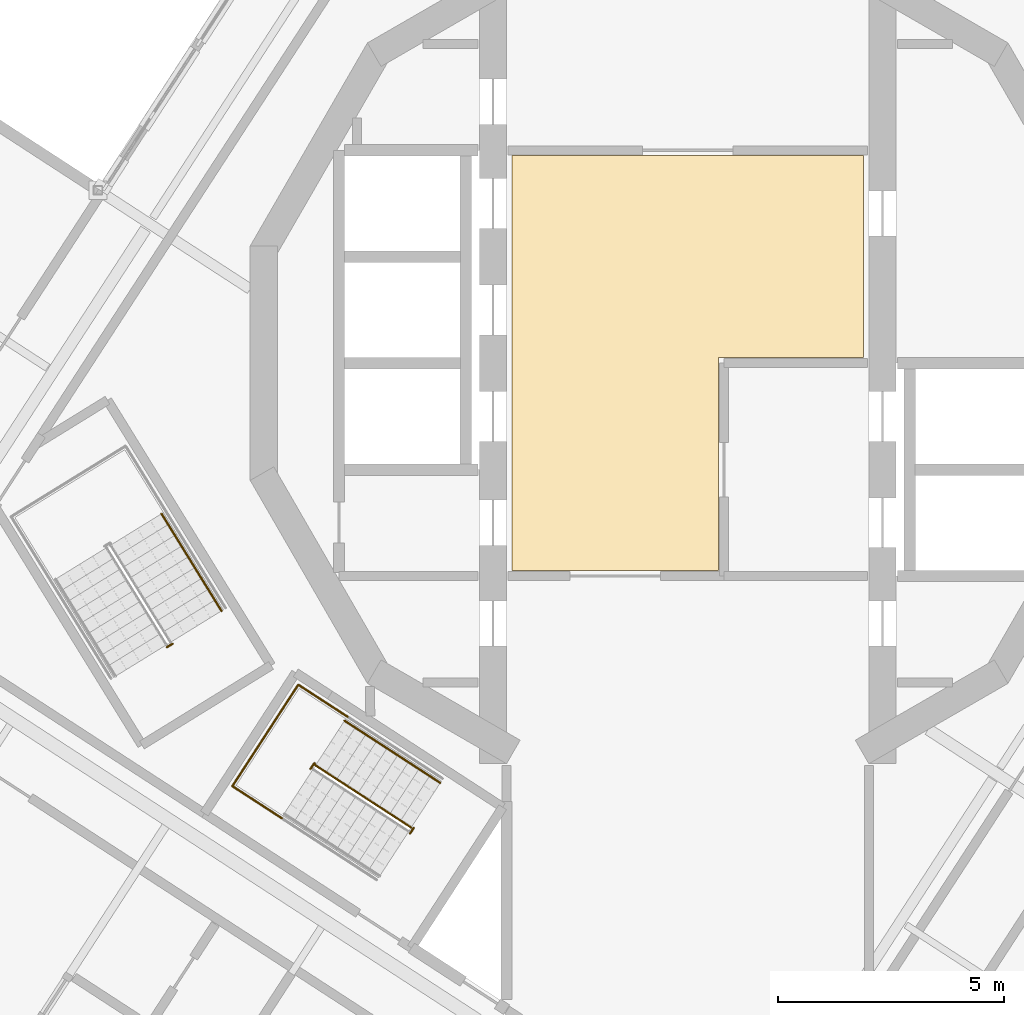
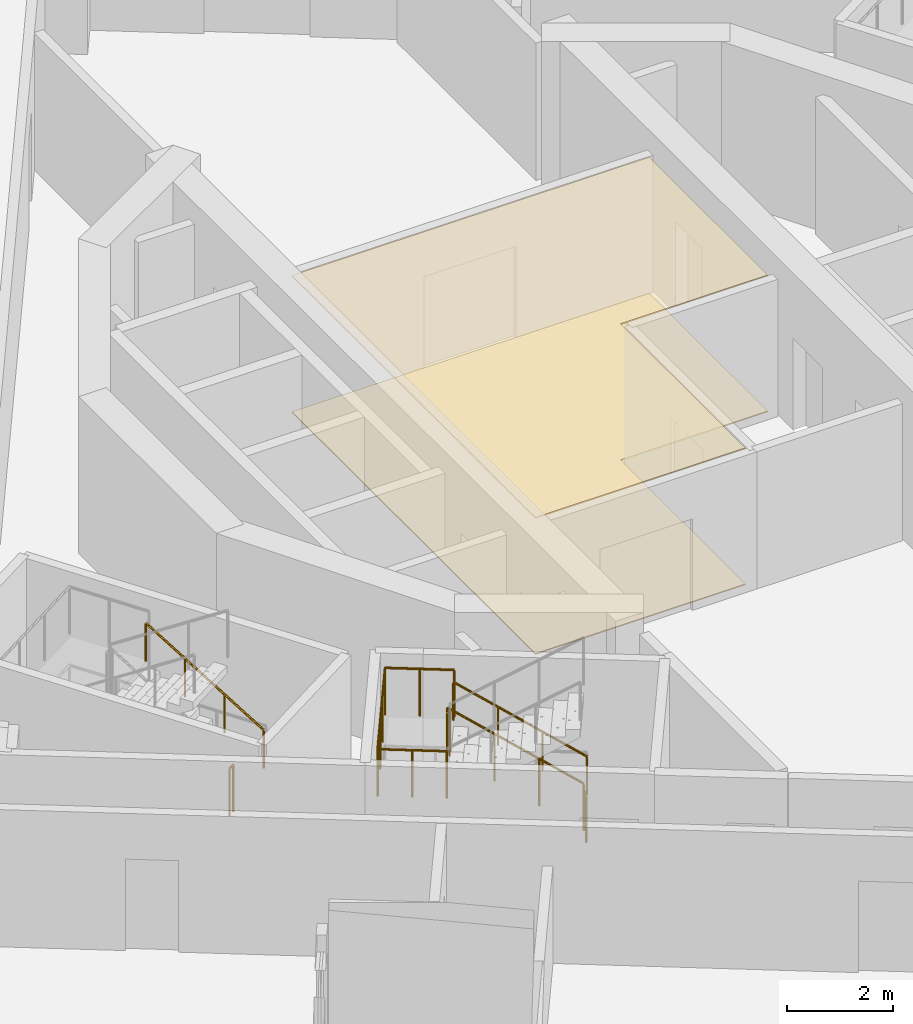
# One storey, part 13 of 17: 6 railings, 2 coverings.
"""IFC4 building model written with IfcOpenShell, lengths in metres."""

from ifc_helpers import new_model, si_unit, direction, frame, origin, origin_2d, place, context, subcontext, project, spatial, polyline, circle, outline, extrude, material, layer, layer_set, type_object, element, save


model = new_model("IFC4")

# Units and contexts
model_context = context("Model", 3, precision=1e-05, world=origin(), true_north=direction((0.0, 1.0)))
body_context = subcontext(model_context, "Body", "Model", "MODEL_VIEW")
ifc_project = project(units=[si_unit("LENGTHUNIT", "METRE"), si_unit("AREAUNIT", "SQUARE_METRE"), si_unit("VOLUMEUNIT", "CUBIC_METRE"), si_unit("PLANEANGLEUNIT", "RADIAN"), si_unit("MASSUNIT", "GRAM", prefix="KILO")], contexts=[model_context])

# Site, building, storey
site_placement = place(None, origin())
site = spatial("IfcSite", under=ifc_project, at=site_placement, CompositionType="ELEMENT")
building_placement = place(site_placement, origin())
building = spatial("IfcBuilding", under=site, at=building_placement, Name="Cantera Rosa Tower", CompositionType="ELEMENT")
storey_placement = place(building_placement, frame((0.0, 0.0, 286.5)))
storey = spatial("IfcBuildingStorey", under=building, at=storey_placement, Name="L65", CompositionType="ELEMENT", Elevation=286.5)

# Railings
ifc_material_1 = material(Name="Steel S355J2 (EN 10025-2)", Category="steel")
railing_type_1 = type_object("IfcRailingType", Name="STAIR GUARD 1100", PredefinedType="GUARDRAIL", material=ifc_material_1)
railing_1_placement = place(storey_placement, frame((-11.375, -6.19482421875, 0.0)))
element("IfcRailing", 1, at=railing_1_placement, inside=storey, type_object=railing_type_1, Name="L65 ST-52 stair guard 3", PredefinedType="GUARDRAIL", context=body_context, shape_type="SweptSolid", body=[
    extrude(circle(Radius=0.02392578125, at=origin_2d()), frame((0.0, 0.0, 1.076171875), z_axis=(-0.851546489876, -0.524279100842, 0.0), x_axis=(0.524279100842, -0.851546489876, 0.0)), (0.0, 0.0, 1.0), 0.14990234375),
    extrude(circle(Radius=0.02099609375, at=origin_2d()), origin(), (0.0, 0.0, 1.0), 1.052001953125),
    extrude(circle(Radius=0.02099609375, at=origin_2d()), frame((-0.127685546875, -0.07861328125, 0.0)), (0.0, 0.0, 1.0), 1.052001953125),
])
railing_2_placement = place(storey_placement, frame((-6.10400390625, -10.25341796875, 0.179931640625)))
element("IfcRailing", 2, at=railing_2_placement, inside=storey, type_object=railing_type_1, Name="L65 ST-53 stair guard 1", PredefinedType="GUARDRAIL", context=body_context, shape_type="SweptSolid", body=[
    extrude(circle(Radius=0.02392578125, at=origin_2d()), frame((0.0, 0.0, 1.076171875), z_axis=(-0.705462015847, 0.458138784, 0.540770005448), x_axis=(-0.544644381691, -0.838667095749, 0.0)), (0.0, 0.0, 1.0), 2.995849609375),
    extrude(circle(Radius=0.02392578125, at=origin_2d()), frame((-2.113525390625, 1.37255859375, 2.6962890625), z_axis=(-0.49005532576, 0.871691331662, 0.0), x_axis=(-0.871691331662, -0.49005532576, 0.0)), (0.0, 0.0, 1.0), 0.056396484375),
    extrude(circle(Radius=0.02392578125, at=origin_2d()), frame((-2.14111328125, 1.421630859375, 2.6962890625), z_axis=(-0.545274379459, -0.838257628123, 0.0), x_axis=(0.838257628123, -0.545274379459, 0.0)), (0.0, 0.0, 1.0), 0.14990234375),
    extrude(circle(Radius=0.02099609375, at=origin_2d()), origin(), (0.0, 0.0, 1.0), 1.052001953125),
    extrude(circle(Radius=0.02099609375, at=origin_2d()), frame((-0.70458984375, 0.45751953125, 0.5400390625)), (0.0, 0.0, 1.0), 1.052001953125),
    extrude(circle(Radius=0.02099609375, at=origin_2d()), frame((-1.408935546875, 0.9150390625, 1.080078125)), (0.0, 0.0, 1.0), 1.052001953125),
    extrude(circle(Radius=0.02099609375, at=origin_2d()), frame((-2.113525390625, 1.37255859375, 1.6201171875)), (0.0, 0.0, 1.0), 1.052001953125),
    extrude(circle(Radius=0.02099609375, at=origin_2d()), frame((-2.14111328125, 1.421630859375, 1.6201171875)), (0.0, 0.0, 1.0), 1.052001953125),
    extrude(circle(Radius=0.02099609375, at=origin_2d()), frame((-2.222900390625, 1.2958984375, 1.6201171875)), (0.0, 0.0, 1.0), 1.052001953125),
])
railing_3_placement = place(storey_placement, frame((-6.0478515625, -10.2587890625, 0.0)))
element("IfcRailing", 3, at=railing_3_placement, inside=storey, type_object=railing_type_1, Name="L65 ST-53 stair guard 3", PredefinedType="GUARDRAIL", context=body_context, shape_type="SweptSolid", body=[
    extrude(circle(Radius=0.02392578125, at=origin_2d()), frame((0.0, 0.0, 1.076171875), z_axis=(-0.545274379459, -0.838257628123, 0.0), x_axis=(0.838257628123, -0.545274379459, 0.0)), (0.0, 0.0, 1.0), 0.14990234375),
    extrude(circle(Radius=0.02099609375, at=origin_2d()), origin(), (0.0, 0.0, 1.0), 1.052001953125),
    extrude(circle(Radius=0.02099609375, at=origin_2d()), frame((-0.081787109375, -0.125732421875, 0.0)), (0.0, 0.0, 1.0), 1.052001953125),
])
railing_4_placement = place(storey_placement, frame((-7.507080078125, -7.808837890625, 1.800048828125)))
element("IfcRailing", 4, at=railing_4_placement, inside=storey, type_object=railing_type_1, Name="L65 ST-53 stair guard 5", PredefinedType="GUARDRAIL", context=body_context, shape_type="SweptSolid", body=[
    extrude(circle(Radius=0.02392578125, at=origin_2d()), frame((0.0, 0.0, 1.076171875), z_axis=(-0.838597818641, 0.544751042744, 0.0), x_axis=(-0.544751042744, -0.838597818641, 0.0)), (0.0, 0.0, 1.0), 1.302001953125),
    extrude(circle(Radius=0.02392578125, at=origin_2d()), frame((-1.091796875, 0.709228515625, 1.076171875), z_axis=(-0.544679779991, -0.838644106442, 0.0), x_axis=(0.838644106442, -0.544679779991, 0.0)), (0.0, 0.0, 1.0), 2.670166015625),
    extrude(circle(Radius=0.02392578125, at=origin_2d()), frame((-2.546142578125, -1.530029296875, 1.076171875), z_axis=(0.838653453326, -0.544665388311, 0.0), x_axis=(0.544665388311, 0.838653453326, 0.0)), (0.0, 0.0, 1.0), 1.30224609375),
    extrude(circle(Radius=0.02099609375, at=origin_2d()), origin(), (0.0, 0.0, 1.0), 1.052001953125),
    extrude(circle(Radius=0.02099609375, at=origin_2d()), frame((-0.5458984375, 0.3544921875, 0.0)), (0.0, 0.0, 1.0), 1.052001953125),
    extrude(circle(Radius=0.02099609375, at=origin_2d()), frame((-1.091796875, 0.709228515625, 0.0)), (0.0, 0.0, 1.0), 1.052001953125),
    extrude(circle(Radius=0.02099609375, at=origin_2d()), frame((-1.57666015625, -0.037109375, 0.0)), (0.0, 0.0, 1.0), 1.052001953125),
    extrude(circle(Radius=0.02099609375, at=origin_2d()), frame((-2.061279296875, -0.78369140625, 0.0)), (0.0, 0.0, 1.0), 1.052001953125),
    extrude(circle(Radius=0.02099609375, at=origin_2d()), frame((-2.546142578125, -1.530029296875, 0.0)), (0.0, 0.0, 1.0), 1.052001953125),
    extrude(circle(Radius=0.02099609375, at=origin_2d()), frame((-2.0, -1.884765625, 0.0)), (0.0, 0.0, 1.0), 1.052001953125),
    extrude(circle(Radius=0.02099609375, at=origin_2d()), frame((-1.4541015625, -2.2392578125, 0.0)), (0.0, 0.0, 1.0), 1.052001953125),
])
ifc_material_2 = material(Name="Steel S355J2 (EN 10025-2)", Category="steel")
railing_type_2 = type_object("IfcRailingType", Name="STAIR HANDRAIL 900", PredefinedType="HANDRAIL", material=ifc_material_2)
railing_5_placement = place(storey_placement, frame((-10.294677734375, -5.4697265625, 0.179931640625)))
element("IfcRailing", 5, at=railing_5_placement, inside=storey, type_object=railing_type_2, Name="L65 ST-52 stair handrail 1", PredefinedType="HANDRAIL", context=body_context, shape_type="SweptSolid", body=[
    extrude(circle(Radius=0.02392578125, at=origin_2d()), frame((0.0, 0.0, 0.8759765625), z_axis=(-0.441609067481, 0.715913574058, 0.540785711718), x_axis=(-0.851102330005, -0.524999832248, 0.0)), (0.0, 0.0, 1.0), 2.995849609375),
    extrude(circle(Radius=0.02099609375, at=origin_2d()), origin(), (0.0, 0.0, 1.0), 0.851806640625),
    extrude(circle(Radius=0.02099609375, at=origin_2d()), frame((-0.44091796875, 0.71484375, 0.5400390625)), (0.0, 0.0, 1.0), 0.851806640625),
    extrude(circle(Radius=0.02099609375, at=origin_2d()), frame((-0.882080078125, 1.429931640625, 1.080078125)), (0.0, 0.0, 1.0), 0.851806640625),
    extrude(circle(Radius=0.02099609375, at=origin_2d()), frame((-1.322998046875, 2.144775390625, 1.6201171875)), (0.0, 0.0, 1.0), 0.851806640625),
])
railing_6_placement = place(storey_placement, frame((-5.463623046875, -9.26708984375, 0.179931640625)))
element("IfcRailing", 6, at=railing_6_placement, inside=storey, type_object=railing_type_2, Name="L65 ST-53 stair handrail 1", PredefinedType="HANDRAIL", context=body_context, shape_type="SweptSolid", body=[
    extrude(circle(Radius=0.02392578125, at=origin_2d()), frame((0.0, 0.0, 0.8759765625), z_axis=(-0.705421077808, 0.458165122394, 0.540801094309), x_axis=(-0.544688635705, -0.838638354795, 0.0)), (0.0, 0.0, 1.0), 2.995849609375),
    extrude(circle(Radius=0.02099609375, at=origin_2d()), origin(), (0.0, 0.0, 1.0), 0.851806640625),
    extrude(circle(Radius=0.02099609375, at=origin_2d()), frame((-0.704345703125, 0.45751953125, 0.5400390625)), (0.0, 0.0, 1.0), 0.851806640625),
    extrude(circle(Radius=0.02099609375, at=origin_2d()), frame((-1.408935546875, 0.9150390625, 1.080078125)), (0.0, 0.0, 1.0), 0.851806640625),
    extrude(circle(Radius=0.02099609375, at=origin_2d()), frame((-2.11328125, 1.37255859375, 1.6201171875)), (0.0, 0.0, 1.0), 0.851806640625),
])

# Coverings
ifc_material_3 = material(Name="Limestone paving", Category="masonry")
ifc_layer_1 = layer(ifc_material_3, 0.02490234375)
ifc_layer_set_1 = layer_set([ifc_layer_1], Name="STONE FLOOR FINISH 25")
covering_type_1 = type_object("IfcCoveringType", Name="STONE FLOOR FINISH 25", PredefinedType="FLOORING", material=ifc_layer_set_1)
covering_1_placement = place(storey_placement, origin())
element("IfcCovering", 7, at=covering_1_placement, inside=storey, type_object=covering_type_1, Name="STONE FLOOR FINISH L65", PredefinedType="FLOORING", context=body_context, shape_type="SweptSolid", body=[
    extrude(outline(polyline([(3.8798828125, 4.580078125), (3.8798828125, 0.1201171875), (0.679931640625, 0.1201171875), (0.679931640625, -4.580078125), (-3.8798828125, -4.580078125), (-3.8798828125, 4.580078125), (3.8798828125, 4.580078125)])), origin(), (0.0, 0.0, 1.0), 0.02490234375),
])
ifc_material_4 = material(Name="Gypsum ceiling tile")
ifc_layer_2 = layer(ifc_material_4, 0.030029296875)
ifc_layer_set_2 = layer_set([ifc_layer_2], Name="SUSPENDED CEILING 30")
covering_type_2 = type_object("IfcCoveringType", Name="SUSPENDED CEILING 30", PredefinedType="CEILING", material=ifc_layer_set_2)
covering_2_placement = place(storey_placement, frame((0.0, 0.0, 3.1201171875)))
element("IfcCovering", 8, at=covering_2_placement, inside=storey, type_object=covering_type_2, Name="SUSPENDED CEILING L65", PredefinedType="CEILING", context=body_context, shape_type="SweptSolid", body=[
    extrude(outline(polyline([(3.8798828125, 4.580078125), (3.8798828125, 0.1201171875), (0.679931640625, 0.1201171875), (0.679931640625, -4.580078125), (-3.8798828125, -4.580078125), (-3.8798828125, 4.580078125), (3.8798828125, 4.580078125)])), origin(), (0.0, 0.0, 1.0), 0.02978515625),
])

save(model, "model.ifc")
